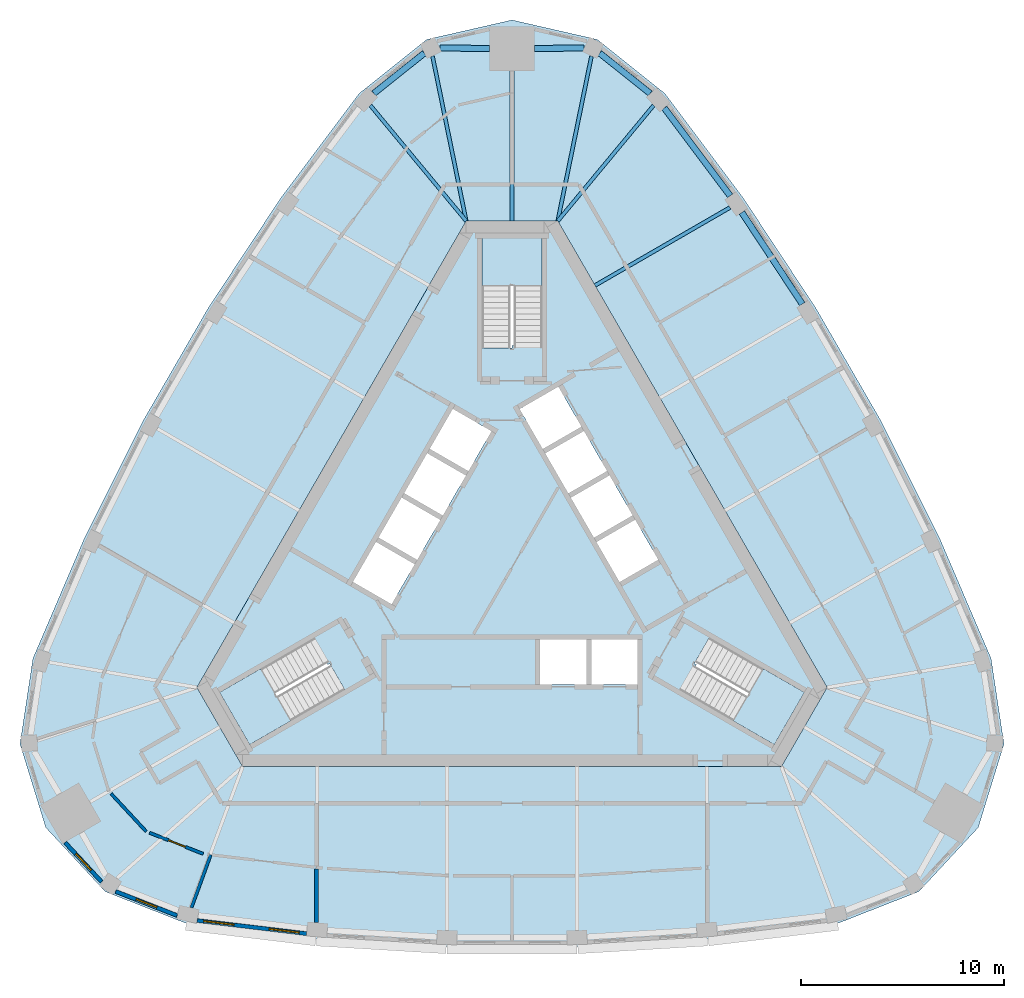
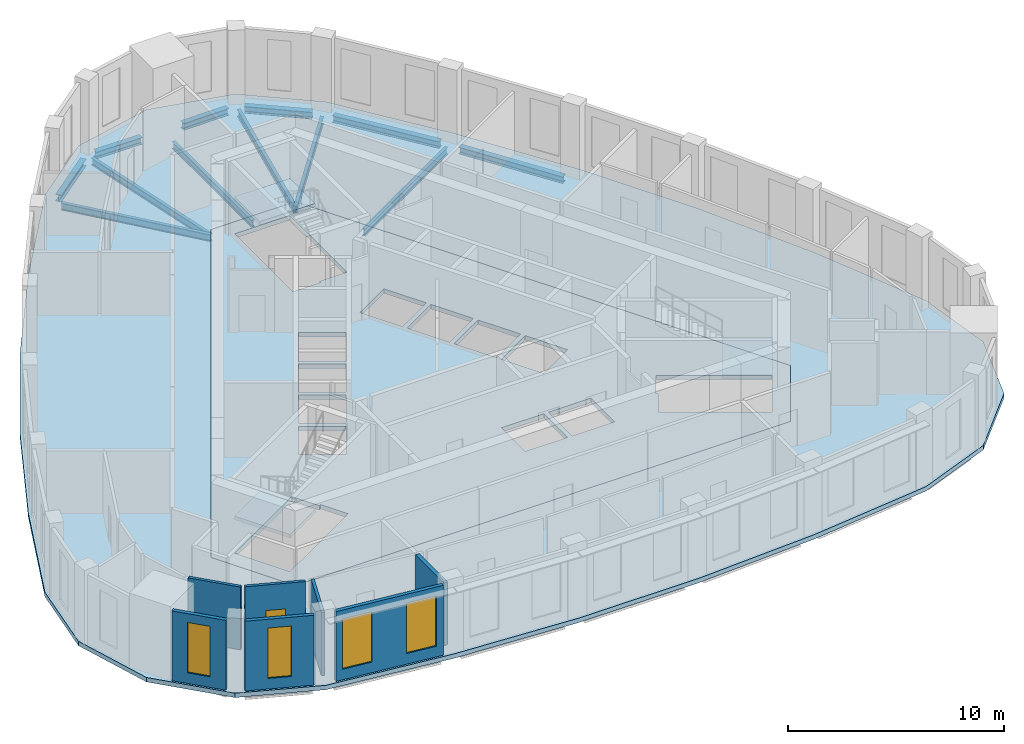
# One storey, part 2 of 10: 12 beams, 7 walls, 5 slabs, 4 windows, 1 door, 5 openings, 3 elements without a shape of their own.
"""IFC4 building model written with IfcOpenShell, lengths in metres."""

from ifc_helpers import new_model, si_unit, direction, frame, frame_2d, origin, origin_2d, place, context, subcontext, project, spatial, polyline, rectangle, i_section, outline, extrude, material, layer, layer_set, material_profile, profile_set, type_object, element, fill, aggregate, save


model = new_model("IFC4")

# Units and contexts
model_context = context("Model", 3, precision=1e-05, world=origin(), true_north=direction((0.0, 1.0)))
body_context = subcontext(model_context, "Body", "Model", "MODEL_VIEW")
ifc_project = project(units=[si_unit("LENGTHUNIT", "METRE"), si_unit("AREAUNIT", "SQUARE_METRE"), si_unit("VOLUMEUNIT", "CUBIC_METRE"), si_unit("PLANEANGLEUNIT", "RADIAN"), si_unit("MASSUNIT", "GRAM", prefix="KILO")], contexts=[model_context])

# Site, building, storey
site_placement = place(None, origin())
site = spatial("IfcSite", under=ifc_project, at=site_placement, CompositionType="ELEMENT")
building_placement = place(site_placement, origin())
building = spatial("IfcBuilding", under=site, at=building_placement, Name="Mestral Congress Tower", CompositionType="ELEMENT")
storey_placement = place(building_placement, frame((0.0, 0.0, 309.0)))
storey = spatial("IfcBuildingStorey", under=building, at=storey_placement, Name="L72", CompositionType="ELEMENT", Elevation=309.0)

# Beams
ifc_material_1 = material(Name="Steel S355", Category="steel")
ifc_material_profile_1 = material_profile(ifc_material_1, i_section(OverallWidth=0.179931640625, OverallDepth=0.39990234375, WebThickness=0.008544921875, FlangeThickness=0.013427734375, FilletRadius=0.02099609375, at=origin_2d()), Name="IPE 400")
ifc_profile_set_1 = profile_set([ifc_material_profile_1], Name="Steel S355")
beam_type_1 = type_object("IfcBeamType", Name="Floor beam IPE 400 S355", PredefinedType="BEAM", material=ifc_profile_set_1)
beam_1_placement = place(storey_placement, frame((10.7275390625, 17.263916015625, -0.449951171875), z_axis=(-0.866019720907, -0.500009842903, 0.0), x_axis=(0.500009842903, -0.866019720907, 0.0)))
element("IfcBeam", 1, at=beam_1_placement, inside=storey, type_object=beam_type_1, Name="BM-L72-RB5-E04", PredefinedType="BEAM", context=body_context, shape_type="SweptSolid", body=[
    extrude(i_section(OverallWidth=0.179931640625, OverallDepth=0.39990234375, WebThickness=0.008544921875, FlangeThickness=0.013427734375, FilletRadius=0.02099609375, at=origin_2d()), origin(), (0.0, 0.0, 1.0), 7.672119140625),
])
beam_2_placement = place(storey_placement, frame((6.969970703125, 22.2890625, -0.449951171875), z_axis=(-0.638382651591, -0.769719163168, 0.0), x_axis=(0.769719163168, -0.638382651591, 0.0)))
element("IfcBeam", 2, at=beam_2_placement, inside=storey, type_object=beam_type_1, Name="BM-L72-RB5-E05", PredefinedType="BEAM", context=body_context, shape_type="SweptSolid", body=[
    extrude(i_section(OverallWidth=0.179931640625, OverallDepth=0.39990234375, WebThickness=0.008544921875, FlangeThickness=0.013427734375, FilletRadius=0.02099609375, at=origin_2d()), origin(), (0.0, 0.0, 1.0), 7.390869140625),
])
beam_3_placement = place(storey_placement, frame((3.910888671875, 24.7119140625, -0.449951171875), z_axis=(-0.200389803804, -0.979716247967, 0.0), x_axis=(0.979716247967, -0.200389803804, 0.0)))
element("IfcBeam", 3, at=beam_3_placement, inside=storey, type_object=beam_type_1, Name="BM-L72-RB5-N1", PredefinedType="BEAM", context=body_context, shape_type="SweptSolid", body=[
    extrude(i_section(OverallWidth=0.179931640625, OverallDepth=0.39990234375, WebThickness=0.008544921875, FlangeThickness=0.013427734375, FilletRadius=0.02099609375, at=origin_2d()), origin(), (0.0, 0.0, 1.0), 8.27978515625),
])
beam_4_placement = place(storey_placement, frame((0.0, 23.97802734375, -0.449951171875), z_axis=(0.0, -1.0, 0.0), x_axis=(1.0, 0.0, 0.0)))
element("IfcBeam", 4, at=beam_4_placement, inside=storey, type_object=beam_type_1, Name="BM-L72-RB5-N", PredefinedType="BEAM", context=body_context, shape_type="SweptSolid", body=[
    extrude(i_section(OverallWidth=0.179931640625, OverallDepth=0.39990234375, WebThickness=0.008544921875, FlangeThickness=0.013427734375, FilletRadius=0.02099609375, at=origin_2d()), origin(), (0.0, 0.0, 1.0), 7.3779296875),
])
beam_5_placement = place(storey_placement, frame((-3.910888671875, 24.7119140625, -0.449951171875), z_axis=(0.200389803804, -0.979716247967, 0.0), x_axis=(0.979716247967, 0.200389803804, 0.0)))
element("IfcBeam", 5, at=beam_5_placement, inside=storey, type_object=beam_type_1, Name="BM-L72-RB5-N3", PredefinedType="BEAM", context=body_context, shape_type="SweptSolid", body=[
    extrude(i_section(OverallWidth=0.179931640625, OverallDepth=0.39990234375, WebThickness=0.008544921875, FlangeThickness=0.013427734375, FilletRadius=0.02099609375, at=origin_2d()), origin(), (0.0, 0.0, 1.0), 8.27978515625),
])
beam_6_placement = place(storey_placement, frame((-6.969970703125, 22.2890625, -0.449951171875), z_axis=(0.638382651591, -0.769719163168, 0.0), x_axis=(0.769719163168, 0.638382651591, 0.0)))
element("IfcBeam", 6, at=beam_6_placement, inside=storey, type_object=beam_type_1, Name="BM-L72-RB5-W00", PredefinedType="BEAM", context=body_context, shape_type="SweptSolid", body=[
    extrude(i_section(OverallWidth=0.179931640625, OverallDepth=0.39990234375, WebThickness=0.008544921875, FlangeThickness=0.013427734375, FilletRadius=0.02099609375, at=origin_2d()), origin(), (0.0, 0.0, 1.0), 7.390869140625),
])
ifc_material_profile_2 = material_profile(ifc_material_1, i_section(OverallWidth=0.300048828125, OverallDepth=0.389892578125, WebThickness=0.010986328125, FlangeThickness=0.01904296875, FilletRadius=0.027099609375, at=origin_2d()), Name="HEA 400")
ifc_profile_set_2 = profile_set([ifc_material_profile_2], Name="Steel S355")
beam_type_2 = type_object("IfcBeamType", Name="Spandrel beam HEA 400 S355", PredefinedType="BEAM", material=ifc_profile_set_2)
beam_7_placement = place(storey_placement, frame((14.280517578125, 12.51611328125, -0.445068359375), z_axis=(-0.550748957655, 0.83467094453, 0.0), x_axis=(-0.83467094453, -0.550748957655, 0.0)))
element("IfcBeam", 7, at=beam_7_placement, inside=storey, type_object=beam_type_2, Name="SP-L72-SB5-E03", PredefinedType="BEAM", context=body_context, shape_type="SweptSolid", body=[
    extrude(i_section(OverallWidth=0.300048828125, OverallDepth=0.389892578125, WebThickness=0.010986328125, FlangeThickness=0.01904296875, FilletRadius=0.027099609375, at=origin_2d()), origin(), (0.0, 0.0, 1.0), 5.3984375),
])
beam_8_placement = place(storey_placement, frame((10.73193359375, 17.83984375, -0.445068359375), z_axis=(-0.599529393236, 0.800352738888, 0.0), x_axis=(-0.800352738888, -0.599529393236, 0.0)))
element("IfcBeam", 8, at=beam_8_placement, inside=storey, type_object=beam_type_2, Name="SP-L72-SB5-E04", PredefinedType="BEAM", context=body_context, shape_type="SweptSolid", body=[
    extrude(i_section(OverallWidth=0.300048828125, OverallDepth=0.389892578125, WebThickness=0.010986328125, FlangeThickness=0.01904296875, FilletRadius=0.027099609375, at=origin_2d()), origin(), (0.0, 0.0, 1.0), 5.396484375),
])
beam_9_placement = place(storey_placement, frame((6.7998046875, 22.876708984375, -0.445068359375), z_axis=(-0.781647188603, 0.623720829016, 0.0), x_axis=(-0.623720829016, -0.781647188603, 0.0)))
element("IfcBeam", 9, at=beam_9_placement, inside=storey, type_object=beam_type_2, Name="SP-L72-SB5-E05", PredefinedType="BEAM", context=body_context, shape_type="SweptSolid", body=[
    extrude(i_section(OverallWidth=0.300048828125, OverallDepth=0.389892578125, WebThickness=0.010986328125, FlangeThickness=0.01904296875, FilletRadius=0.027099609375, at=origin_2d()), origin(), (0.0, 0.0, 1.0), 3.179931640625),
])
for number, where, z_axis, x_axis, name in (
    (10, (3.54736328125, 25.11181640625, -0.445068359375), (-0.999955093848, -0.009476829002, 0.0), (0.009476829002, -0.999955093848, 0.0), "SP-L72-SB5-N1"),
    (11, (-1.10009765625, 25.088623046875, -0.445068359375), (-0.999955093848, 0.009476829002, 0.0), (-0.009476829002, -0.999955093848, 0.0), "SP-L72-SB5-N"),
):
    element("IfcBeam", number, at=place(storey_placement, frame(where, z_axis=z_axis, x_axis=x_axis)), inside=storey, type_object=beam_type_2, Name=name, PredefinedType="BEAM", context=body_context, shape_type="SweptSolid", body=[
        extrude(i_section(OverallWidth=0.300048828125, OverallDepth=0.389892578125, WebThickness=0.010986328125, FlangeThickness=0.01904296875, FilletRadius=0.027099609375, at=origin_2d()), origin(), (0.0, 0.0, 1.0), 2.447265625),
    ])
beam_10_placement = place(storey_placement, frame((-4.314208984375, 24.860107421875, -0.445068359375), z_axis=(-0.781647188603, -0.623720829016, 0.0), x_axis=(0.623720829016, -0.781647188603, 0.0)))
element("IfcBeam", 12, at=beam_10_placement, inside=storey, type_object=beam_type_2, Name="SP-L72-SB5-N3", PredefinedType="BEAM", context=body_context, shape_type="SweptSolid", body=[
    extrude(i_section(OverallWidth=0.300048828125, OverallDepth=0.389892578125, WebThickness=0.010986328125, FlangeThickness=0.01904296875, FilletRadius=0.027099609375, at=origin_2d()), origin(), (0.0, 0.0, 1.0), 3.179931640625),
])

# Slabs
ifc_material_2 = material(Name="Concrete C35/45", Category="concrete")
ifc_layer_1 = layer(ifc_material_2, 0.25)
ifc_layer_set_1 = layer_set([ifc_layer_1], Name="Concrete C35/45")
slab_type_1 = type_object("IfcSlabType", Name="Composite floor slab 250", PredefinedType="FLOOR", material=ifc_layer_set_1)
placement_1 = place(storey_placement, frame((0.0, 0.0, -0.25)))
element("IfcSlab", 13, at=placement_1, inside=storey, type_object=slab_type_1, Name="SL-L72", PredefinedType="FLOOR", context=body_context, shape_type="SweptSolid", body=[
    extrude(outline(polyline([(-16.051513671875, -17.951904296875), (-20.014404296875, -16.39794921875), (-22.940673828125, -13.244873046875), (-24.208251953125, -9.1337890625), (-23.572509765625, -4.925048828125), (-21.027587890625, 1.0234375), (-18.152099609375, 6.77001953125), (-14.939208984375, 12.335205078125), (-11.400146484375, 17.698486328125), (-7.52099609375, 22.876953125), (-4.19384765625, 25.531982421875), (0.0, 26.48974609375), (4.19384765625, 25.531982421875), (7.52099609375, 22.876953125), (11.400146484375, 17.698486328125), (14.939208984375, 12.335205078125), (18.152099609375, 6.77001953125), (21.027587890625, 1.0234375), (23.572509765625, -4.925048828125), (24.208251953125, -9.1337890625), (22.940673828125, -13.244873046875), (20.014404296875, -16.39794921875), (16.051513671875, -17.951904296875), (9.62744140625, -18.72216796875), (3.212890625, -19.105224609375), (-3.212890625, -19.105224609375), (-9.62744140625, -18.72216796875), (-16.051513671875, -17.951904296875)]), holes=[polyline([(-2.251708984375, 16.60009765625), (-15.501953125, -6.35009765625), (-13.250244140625, -10.25), (13.250244140625, -10.25), (15.501953125, -6.35009765625), (2.251708984375, 16.60009765625), (-2.251708984375, 16.60009765625)])]), origin(), (0.0, 0.0, 1.0), 0.25),
])
ifc_material_3 = material(Name="Concrete C60/75", Category="concrete")
ifc_layer_2 = layer(ifc_material_3, 0.25)
ifc_layer_set_2 = layer_set([ifc_layer_2], Name="Concrete C60/75")
slab_type_2 = type_object("IfcSlabType", Name="Core floor slab RC 250", PredefinedType="FLOOR", material=ifc_layer_set_2)
element("IfcSlab", 14, at=placement_1, inside=storey, type_object=slab_type_2, Name="L72 core floor", PredefinedType="FLOOR", context=body_context, shape_type="SweptSolid", body=[
    extrude(outline(polyline([(13.250244140625, -10.25), (-13.250244140625, -10.25), (-15.501953125, -6.35009765625), (-2.251708984375, 16.60009765625), (2.251708984375, 16.60009765625), (15.501953125, -6.35009765625), (13.250244140625, -10.25)]), holes=[polyline([(-14.37744140625, -6.59765625), (-12.90234375, -9.15234375), (-8.234619140625, -6.45751953125), (-8.971923828125, -5.179931640625), (-9.0673828125, -5.235107421875), (-9.8046875, -3.95751953125), (-14.37744140625, -6.59765625)]), polyline([(-5.921630859375, -2.256591796875), (-4.78662109375, -0.29052734375), (-6.69189453125, 0.809326171875), (-7.826904296875, -1.156494140625), (-5.921630859375, -2.256591796875)]), polyline([(-4.66162109375, -0.07421875), (-3.526611328125, 1.8916015625), (-5.431884765625, 2.99169921875), (-6.56689453125, 1.02587890625), (-4.66162109375, -0.07421875)]), polyline([(-2.2666015625, 4.07421875), (-4.171875, 5.174072265625), (-5.306884765625, 3.208251953125), (-3.401611328125, 2.1083984375), (-2.2666015625, 4.07421875)]), polyline([(-2.1416015625, 4.29052734375), (-1.006591796875, 6.256591796875), (-2.911865234375, 7.3564453125), (-4.046875, 5.390625), (-2.1416015625, 4.29052734375)]), polyline([(0.376708984375, 7.34765625), (1.51171875, 5.3818359375), (3.4169921875, 6.481689453125), (2.281982421875, 8.44775390625), (0.376708984375, 7.34765625)]), polyline([(1.47509765625, 15.75), (-1.47509765625, 15.75), (-1.47509765625, 10.360107421875), (0.0, 10.360107421875), (0.0, 10.469970703125), (1.47509765625, 10.469970703125), (1.47509765625, 15.75)]), polyline([(8.329833984375, -6.512451171875), (12.90234375, -9.15234375), (14.37744140625, -6.59765625), (9.70947265625, -3.902587890625), (8.971923828125, -5.179931640625), (9.0673828125, -5.235107421875), (8.329833984375, -6.512451171875)]), polyline([(3.655029296875, -4.0), (1.385009765625, -4.0), (1.385009765625, -6.199951171875), (3.655029296875, -6.199951171875), (3.655029296875, -4.0)]), polyline([(6.175048828125, -4.0), (3.905029296875, -4.0), (3.905029296875, -6.199951171875), (6.175048828125, -6.199951171875), (6.175048828125, -4.0)]), polyline([(4.156494140625, 0.800537109375), (5.29150390625, -1.165283203125), (7.197021484375, -0.065185546875), (6.06201171875, 1.900634765625), (4.156494140625, 0.800537109375)]), polyline([(2.896484375, 2.98291015625), (4.031494140625, 1.01708984375), (5.93701171875, 2.1171875), (4.802001953125, 4.0830078125), (2.896484375, 2.98291015625)]), polyline([(1.63671875, 5.165283203125), (2.771484375, 3.199462890625), (4.677001953125, 4.29931640625), (3.5419921875, 6.265380859375), (1.63671875, 5.165283203125)])]), origin(), (0.0, 0.0, 1.0), 0.25),
])

# Stair, slab
stair_type = type_object("IfcStairType", Name="Exit stair 1400", PredefinedType="HALF_TURN_STAIR", material=ifc_material_3)
placement_2 = place(storey_placement, origin())
stair_1 = element("IfcStair", 15, at=placement_2, inside=storey, type_object=stair_type, Name="L72 ST1", PredefinedType="HALF_TURN_STAIR")
ifc_layer_3 = layer(ifc_material_3, 0.199951171875)
ifc_layer_set_3 = layer_set([ifc_layer_3], Name="Concrete C60/75")
slab_type_3 = type_object("IfcSlabType", Name="Exit stair landing 200", PredefinedType="LANDING", material=ifc_layer_set_3)
placement_3 = place(storey_placement, frame((0.0, 0.0, 1.89990234375)))
slab_3 = element("IfcSlab", 16, at=placement_3, type_object=slab_type_3, Name="ST1 landing 1", PredefinedType="LANDING", context=body_context, shape_type="SweptSolid", body=[
    extrude(outline(polyline([(10.879638671875, -7.99609375), (12.364501953125, -5.424072265625), (14.39111328125, -6.593994140625), (12.906005859375, -9.166015625), (10.879638671875, -7.99609375)])), origin(), (0.0, 0.0, 1.0), 0.2001953125),
])
aggregate(stair_1, [slab_3])

stair_2 = element("IfcStair", 17, at=placement_2, inside=storey, type_object=stair_type, Name="L72 ST2", PredefinedType="HALF_TURN_STAIR")
slab_4 = element("IfcSlab", 18, at=placement_3, type_object=slab_type_3, Name="ST2 landing 1", PredefinedType="LANDING", context=body_context, shape_type="SweptSolid", body=[
    extrude(outline(polyline([(1.485107421875, 13.419921875), (-1.485107421875, 13.419921875), (-1.485107421875, 15.760009765625), (1.485107421875, 15.760009765625), (1.485107421875, 13.419921875)])), origin(), (0.0, 0.0, 1.0), 0.2001953125),
])
aggregate(stair_2, [slab_4])

stair_3 = element("IfcStair", 19, at=placement_2, inside=storey, type_object=stair_type, Name="L72 ST3", PredefinedType="HALF_TURN_STAIR")
slab_5 = element("IfcSlab", 20, at=placement_3, type_object=slab_type_3, Name="ST3 landing 1", PredefinedType="LANDING", context=body_context, shape_type="SweptSolid", body=[
    extrude(outline(polyline([(-12.364501953125, -5.424072265625), (-10.879638671875, -7.99609375), (-12.906005859375, -9.166015625), (-14.39111328125, -6.593994140625), (-12.364501953125, -5.424072265625)])), origin(), (0.0, 0.0, 1.0), 0.2001953125),
])
aggregate(stair_3, [slab_5])

# Wall, openings, windows
ifc_material_4 = material(Name="Precast concrete C40/50 with limestone facing", Category="masonry")
ifc_layer_4 = layer(ifc_material_4, 0.18994140625)
ifc_layer_set_4 = layer_set([ifc_layer_4], Name="Precast concrete C40/50 with limestone facing")
wall_type_1 = type_object("IfcWallType", Name="Facade stone wall 190", PredefinedType="SOLIDWALL", material=ifc_layer_set_4)
wall_1_placement = place(storey_placement, frame((-15.487060546875, -17.822998046875, 0.0), z_axis=(0.0, 0.0, 1.0), x_axis=(0.992885582795, -0.119072328769, 0.0)))
wall_1 = element("IfcWall", 21, at=wall_1_placement, inside=storey, type_object=wall_type_1, Name="Facade wall F0-00", PredefinedType="SOLIDWALL", context=body_context, shape_type="SweptSolid", body=[
    extrude(rectangle(XDim=5.4150390625, YDim=0.18994140625, at=frame_2d((2.70751953125, 0.0))), origin(), (0.0, 0.0, 1.0), 3.949951171875),
])
opening_1_placement = place(wall_1_placement, frame((0.322509765625, 0.0, 0.60009765625)))
opening_1 = element("IfcOpeningElement", 22, at=opening_1_placement, cuts=wall_1, Name="Opening W6", PredefinedType="OPENING", context=body_context, shape_type="SweptSolid", body=[
    extrude(rectangle(XDim=1.5, YDim=2.85009765625, at=frame_2d((0.75, 1.425048828125))), frame((0.0, 0.10498046875, 0.0), z_axis=(0.0, -1.0, 0.0), x_axis=(1.0, 0.0, 0.0)), (0.0, 0.0, 1.0), 0.2099609375),
])
opening_2_placement = place(wall_1_placement, frame((3.5576171875, 0.0, 0.60009765625)))
opening_2 = element("IfcOpeningElement", 23, at=opening_2_placement, cuts=wall_1, Name="Opening W6", PredefinedType="OPENING", context=body_context, shape_type="SweptSolid", body=[
    extrude(rectangle(XDim=1.5, YDim=2.85009765625, at=frame_2d((0.75, 1.425048828125))), frame((0.0, 0.10498046875, 0.0), z_axis=(0.0, -1.0, 0.0), x_axis=(1.0, 0.0, 0.0)), (0.0, 0.0, 1.0), 0.2099609375),
])
ifc_material_5 = material(Name="Clear low-emissivity double glazing", Category="glass")
window_type_1 = type_object("IfcWindowType", Name="Facade punched window 1500 x 2850 sill 600", PartitioningType="SINGLE_PANEL", PredefinedType="WINDOW", material=ifc_material_5)
window_1_placement = place(opening_1_placement, origin())
window_1 = element("IfcWindow", 24, at=window_1_placement, inside=storey, type_object=window_type_1, Name="Window F0-00a", OverallHeight=2.85009765625, OverallWidth=1.5, PartitioningType="SINGLE_PANEL", PredefinedType="WINDOW", context=body_context, shape_type="SweptSolid", body=[
    extrude(rectangle(XDim=1.5, YDim=2.85009765625, at=frame_2d((0.75, 1.425048828125))), frame((0.0, 0.044921875, 0.0), z_axis=(0.0, -1.0, 0.0), x_axis=(1.0, 0.0, 0.0)), (0.0, 0.0, 1.0), 0.06005859375),
])
fill(opening_1, window_1)
window_2_placement = place(opening_2_placement, origin())
window_2 = element("IfcWindow", 25, at=window_2_placement, inside=storey, type_object=window_type_1, Name="Window F0-00b", OverallHeight=2.85009765625, OverallWidth=1.5, PartitioningType="SINGLE_PANEL", PredefinedType="WINDOW", context=body_context, shape_type="SweptSolid", body=[
    extrude(rectangle(XDim=1.5, YDim=2.85009765625, at=frame_2d((0.75, 1.425048828125))), frame((0.0, 0.044921875, 0.0), z_axis=(0.0, -1.0, 0.0), x_axis=(1.0, 0.0, 0.0)), (0.0, 0.0, 1.0), 0.06005859375),
])
fill(opening_2, window_2)

# Wall, opening, window
wall_2_placement = place(storey_placement, frame((-21.98486328125, -13.988037109375, 0.0), z_axis=(0.0, 0.0, 1.0), x_axis=(0.680219354823, -0.733008614768, 0.0)))
wall_2 = element("IfcWall", 26, at=wall_2_placement, inside=storey, type_object=wall_type_1, Name="Facade wall K2-2", PredefinedType="SOLIDWALL", context=body_context, shape_type="SweptSolid", body=[
    extrude(rectangle(XDim=2.626953125, YDim=0.18994140625, at=frame_2d((1.3134765625, 0.0))), origin(), (0.0, 0.0, 1.0), 3.949951171875),
])
opening_3_placement = place(wall_2_placement, frame((0.763427734375, 0.0, 0.60009765625)))
opening_3 = element("IfcOpeningElement", 27, at=opening_3_placement, cuts=wall_2, Name="Opening W7", PredefinedType="OPENING", context=body_context, shape_type="SweptSolid", body=[
    extrude(rectangle(XDim=1.10009765625, YDim=2.85009765625, at=frame_2d((0.550048828125, 1.425048828125))), frame((0.0, 0.10498046875, 0.0), z_axis=(0.0, -1.0, 0.0), x_axis=(1.0, 0.0, 0.0)), (0.0, 0.0, 1.0), 0.2099609375),
])
window_type_2 = type_object("IfcWindowType", Name="Facade punched window 1100 x 2850 sill 600", PartitioningType="SINGLE_PANEL", PredefinedType="WINDOW", material=ifc_material_5)
window_3_placement = place(opening_3_placement, origin())
window_3 = element("IfcWindow", 28, at=window_3_placement, inside=storey, type_object=window_type_2, Name="Window K2-2", OverallHeight=2.85009765625, OverallWidth=1.10009765625, PartitioningType="SINGLE_PANEL", PredefinedType="WINDOW", context=body_context, shape_type="SweptSolid", body=[
    extrude(rectangle(XDim=1.10009765625, YDim=2.85009765625, at=frame_2d((0.550048828125, 1.425048828125))), frame((0.0, 0.044921875, 0.0), z_axis=(0.0, -1.0, 0.0), x_axis=(1.0, 0.0, 0.0)), (0.0, 0.0, 1.0), 0.06005859375),
])
fill(opening_3, window_3)

wall_3_placement = place(storey_placement, frame((-19.496337890625, -16.3916015625, 0.0), z_axis=(0.0, 0.0, 1.0), x_axis=(0.93100888477, -0.364996515709, 0.0)))
wall_3 = element("IfcWall", 29, at=wall_3_placement, inside=storey, type_object=wall_type_1, Name="Facade wall K2-3", PredefinedType="SOLIDWALL", context=body_context, shape_type="SweptSolid", body=[
    extrude(rectangle(XDim=3.23681640625, YDim=0.18994140625, at=frame_2d((1.618408203125, 0.0))), origin(), (0.0, 0.0, 1.0), 3.949951171875),
])
opening_4_placement = place(wall_3_placement, frame((1.068359375, 0.0, 0.60009765625)))
opening_4 = element("IfcOpeningElement", 30, at=opening_4_placement, cuts=wall_3, Name="Opening W7", PredefinedType="OPENING", context=body_context, shape_type="SweptSolid", body=[
    extrude(rectangle(XDim=1.10009765625, YDim=2.85009765625, at=frame_2d((0.550048828125, 1.425048828125))), frame((0.0, 0.10498046875, 0.0), z_axis=(0.0, -1.0, 0.0), x_axis=(1.0, 0.0, 0.0)), (0.0, 0.0, 1.0), 0.2099609375),
])
window_4_placement = place(opening_4_placement, origin())
window_4 = element("IfcWindow", 31, at=window_4_placement, inside=storey, type_object=window_type_2, Name="Window K2-3", OverallHeight=2.85009765625, OverallWidth=1.10009765625, PartitioningType="SINGLE_PANEL", PredefinedType="WINDOW", context=body_context, shape_type="SweptSolid", body=[
    extrude(rectangle(XDim=1.10009765625, YDim=2.85009765625, at=frame_2d((0.550048828125, 1.425048828125))), frame((0.0, 0.044921875, 0.0), z_axis=(0.0, -1.0, 0.0), x_axis=(1.0, 0.0, 0.0)), (0.0, 0.0, 1.0), 0.06005859375),
])
fill(opening_4, window_4)

# Walls
ifc_material_6 = material(Name="Plasterboard partition on steel studs", Category="steel")
ifc_layer_5 = layer(ifc_material_6, 0.14990234375)
ifc_layer_set_5 = layer_set([ifc_layer_5], Name="Plasterboard partition on steel studs")
wall_type_2 = type_object("IfcWallType", Name="Office partition 150", PredefinedType="PARTITIONING", material=ifc_layer_set_5)
wall_4_placement = place(storey_placement, frame((-14.826416015625, -14.583740234375, 0.0), z_axis=(0.0, 0.0, 1.0), x_axis=(-0.341806672652, -0.9397702903, 0.0)))
element("IfcWall", 32, at=wall_4_placement, inside=storey, type_object=wall_type_2, Name="Partition", PredefinedType="PARTITIONING", context=body_context, shape_type="SweptSolid", body=[
    extrude(rectangle(XDim=2.7734375, YDim=0.14990234375, at=frame_2d((1.38671875, 0.0))), origin(), (0.0, 0.0, 1.0), 3.550048828125),
])
wall_5_placement = place(storey_placement, frame((-19.722900390625, -11.58154296875, 0.0), z_axis=(0.0, 0.0, 1.0), x_axis=(0.680277472793, -0.732954678005, 0.0)))
element("IfcWall", 33, at=wall_5_placement, inside=storey, type_object=wall_type_2, Name="Partition", PredefinedType="PARTITIONING", context=body_context, shape_type="SweptSolid", body=[
    extrude(rectangle(XDim=2.53515625, YDim=0.14990234375, at=frame_2d((1.267578125, 0.0))), origin(), (0.0, 0.0, 1.0), 3.550048828125),
])

# Wall, opening, door
wall_6_placement = place(storey_placement, frame((-15.19287109375, -14.539794921875, 0.0), z_axis=(0.0, 0.0, 1.0), x_axis=(-0.930968616147, 0.36509921357, 0.0)))
wall_6 = element("IfcWall", 34, at=wall_6_placement, inside=storey, type_object=wall_type_2, Name="Partition", PredefinedType="PARTITIONING", context=body_context, shape_type="SweptSolid", body=[
    extrude(rectangle(XDim=2.840576171875, YDim=0.14990234375, at=frame_2d((1.42041015625, 0.0))), origin(), (0.0, 0.0, 1.0), 3.550048828125),
])
opening_5_placement = place(wall_6_placement, frame((0.940673828125, 0.0, 0.0)))
opening_5 = element("IfcOpeningElement", 35, at=opening_5_placement, cuts=wall_6, Name="Opening O14-016", PredefinedType="OPENING", context=body_context, shape_type="SweptSolid", body=[
    extrude(rectangle(XDim=0.89990234375, YDim=2.10009765625, at=frame_2d((0.449951171875, 1.050048828125))), frame((0.0, 0.0849609375, 0.0), z_axis=(0.0, -1.0, 0.0), x_axis=(1.0, 0.0, 0.0)), (0.0, 0.0, 1.0), 0.169921875),
])
ifc_material_7 = material(Name="Timber door set", Category="wood")
door_type = type_object("IfcDoorType", Name="Office door 900x2100", OperationType="SINGLE_SWING_LEFT", PredefinedType="DOOR", material=ifc_material_7)
door_placement = place(opening_5_placement, origin())
door = element("IfcDoor", 36, at=door_placement, inside=storey, type_object=door_type, Name="Door O14-016", OperationType="SINGLE_SWING_LEFT", OverallHeight=2.10009765625, OverallWidth=0.89990234375, PredefinedType="DOOR", context=body_context, shape_type="SweptSolid", body=[
    extrude(rectangle(XDim=0.89990234375, YDim=2.10009765625, at=frame_2d((0.449951171875, 1.050048828125))), frame((0.0, 0.02490234375, 0.0), z_axis=(0.0, -1.0, 0.0), x_axis=(1.0, 0.0, 0.0)), (0.0, 0.0, 1.0), 0.050048828125),
])
fill(opening_5, door)

# Wall
ifc_material_8 = material(Name="Dense masonry wall, plastered", Category="masonry")
ifc_layer_6 = layer(ifc_material_8, 0.199951171875)
ifc_layer_set_6 = layer_set([ifc_layer_6], Name="Dense masonry wall, plastered")
wall_type_3 = type_object("IfcWallType", Name="Office tenancy wall 200", PredefinedType="PARTITIONING", material=ifc_layer_set_6)
wall_7_placement = place(storey_placement, frame((-9.62744140625, -17.918701171875, 0.0), z_axis=(0.0, 0.0, 1.0), x_axis=(0.0, 1.0, 0.0)))
element("IfcWall", 37, at=wall_7_placement, inside=storey, type_object=wall_type_3, Name="Tenancy wall", PredefinedType="PARTITIONING", context=body_context, shape_type="SweptSolid", body=[
    extrude(rectangle(XDim=2.635986328125, YDim=0.199951171875, at=frame_2d((1.31787109375, 0.0))), origin(), (0.0, 0.0, 1.0), 3.550048828125),
])

save(model, "model.ifc")
